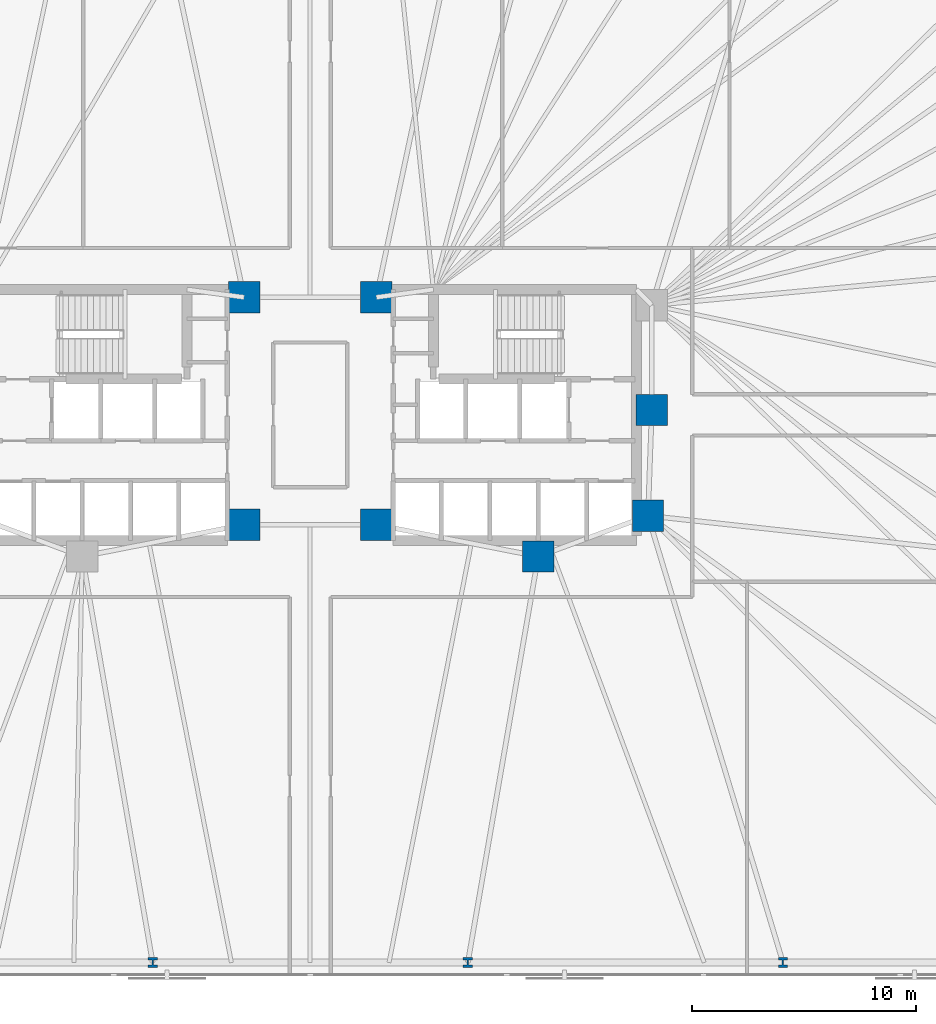
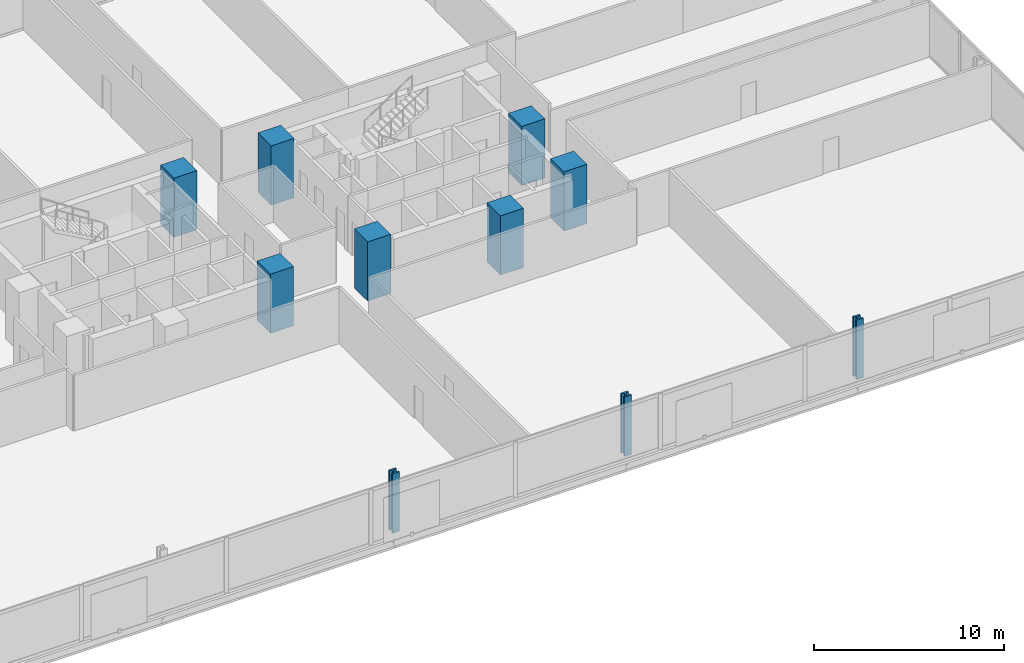
# One storey, part 3 of 16: 10 columns.
"""IFC4 building model written with IfcOpenShell, lengths in metres."""

from ifc_helpers import new_model, si_unit, direction, frame, origin, origin_2d, place, context, subcontext, project, spatial, rectangle, i_section, extrude, material, material_profile, profile_set, type_object, element, save


model = new_model("IFC4")

# Units and contexts
model_context = context("Model", 3, precision=1e-05, world=origin(), true_north=direction((0.0, 1.0)))
body_context = subcontext(model_context, "Body", "Model", "MODEL_VIEW")
ifc_project = project(units=[si_unit("LENGTHUNIT", "METRE"), si_unit("AREAUNIT", "SQUARE_METRE"), si_unit("VOLUMEUNIT", "CUBIC_METRE"), si_unit("PLANEANGLEUNIT", "RADIAN"), si_unit("MASSUNIT", "GRAM", prefix="KILO")], contexts=[model_context])

# Site, building, storey
site_placement = place(None, origin())
site = spatial("IfcSite", under=ifc_project, at=site_placement, CompositionType="ELEMENT")
building_placement = place(site_placement, origin())
building = spatial("IfcBuilding", under=site, at=building_placement, Name="Menara Jurai Vektor", CompositionType="ELEMENT")
storey_placement = place(building_placement, frame((0.0, 0.0, 33.199951171875)))
storey = spatial("IfcBuildingStorey", under=building, at=storey_placement, Name="L07", CompositionType="ELEMENT", Elevation=33.199951171875)

# Columns
ifc_material_1 = material(Name="Concrete C60/75", Category="concrete")
ifc_material_profile_1 = material_profile(ifc_material_1, rectangle(XDim=1.39990234375, YDim=1.39990234375, at=origin_2d()), Name="RC 1400x1400")
ifc_profile_set_1 = profile_set([ifc_material_profile_1], Name="Concrete C60/75")
column_type_1 = type_object("IfcColumnType", Name="STR-COL-RC1400", PredefinedType="COLUMN", material=ifc_profile_set_1)
for number, where, z_axis, x_axis, name in (
    (1, (-2.949951171875, -4.89990234375, 0.0), (0.0, 0.0, 1.0), (1.0, 0.0, 0.0), "Core Spine Column CW-SE L07"),
    (2, (-2.949951171875, 5.25, 0.0), (0.0, 0.0, 1.0), (1.0, 0.0, 0.0), "Core Spine Column CW-NE L07"),
    (3, (15.25, 0.219970703125, 0.0), (0.0, 0.0, 1.0), (1.0, 0.0, 0.0), "Core Spine Column CE-EM L07"),
    (4, (15.080078125, -4.5, 0.0), (0.0, 0.0, 1.0), (1.0, 0.0, 0.0), "Core Spine Column CE-SE L07"),
    (5, (10.179931640625, -6.320068359375, 0.0), (0.0, 0.0, 1.0), (1.0, 0.0, 0.0), "Core Spine Column CE-SM L07"),
    (6, (2.949951171875, -4.89990234375, 0.0), (0.0, 0.0, 1.0), (1.0, 0.0, 0.0), "Core Spine Column CE-SW L07"),
    (7, (2.949951171875, 5.25, 0.0), (0.0, 0.0, 1.0), (1.0, 0.0, 0.0), "Core Spine Column CE-NW L07"),
):
    element("IfcColumn", number, at=place(storey_placement, frame(where, z_axis=z_axis, x_axis=x_axis)), inside=storey, type_object=column_type_1, Name=name, PredefinedType="COLUMN", context=body_context, shape_type="SweptSolid", body=[
        extrude(rectangle(XDim=1.39990234375, YDim=1.39990234375, at=origin_2d()), origin(), (0.0, 0.0, 1.0), 3.800048828125),
    ])
ifc_material_2 = material(Name="Steel S460", Category="steel")
ifc_material_profile_2 = material_profile(ifc_material_2, i_section(OverallWidth=0.419921875, OverallDepth=0.430908203125, WebThickness=0.06494140625, FlangeThickness=0.10595703125, FilletRadius=0.014892578125, at=origin_2d()), Name="HD 400x900")
ifc_profile_set_2 = profile_set([ifc_material_profile_2], Name="Steel S460")
column_type_2 = type_object("IfcColumnType", Name="STR-EXO-BLK1", PredefinedType="COLUMN", material=ifc_profile_set_2)
for number, where, z_axis, x_axis, name in (
    (8, (-7.03564453125, -24.449951171875, 0.0), (0.0, 0.0, 1.0), (1.0, 0.0, 0.0), "Exoskeleton Column BLK1-S3 L07"),
    (9, (7.03564453125, -24.449951171875, 0.0), (0.0, 0.0, 1.0), (1.0, 0.0, 0.0), "Exoskeleton Column BLK1-S4 L07"),
    (10, (21.106689453125, -24.449951171875, 0.0), (0.0, 0.0, 1.0), (1.0, 0.0, 0.0), "Exoskeleton Column BLK1-S5 L07"),
):
    element("IfcColumn", number, at=place(storey_placement, frame(where, z_axis=z_axis, x_axis=x_axis)), inside=storey, type_object=column_type_2, Name=name, PredefinedType="COLUMN", context=body_context, shape_type="SweptSolid", body=[
        extrude(i_section(OverallWidth=0.419921875, OverallDepth=0.430908203125, WebThickness=0.06494140625, FlangeThickness=0.10595703125, FilletRadius=0.014892578125, at=origin_2d()), origin(), (0.0, 0.0, 1.0), 3.800048828125),
    ])

save(model, "model.ifc")
